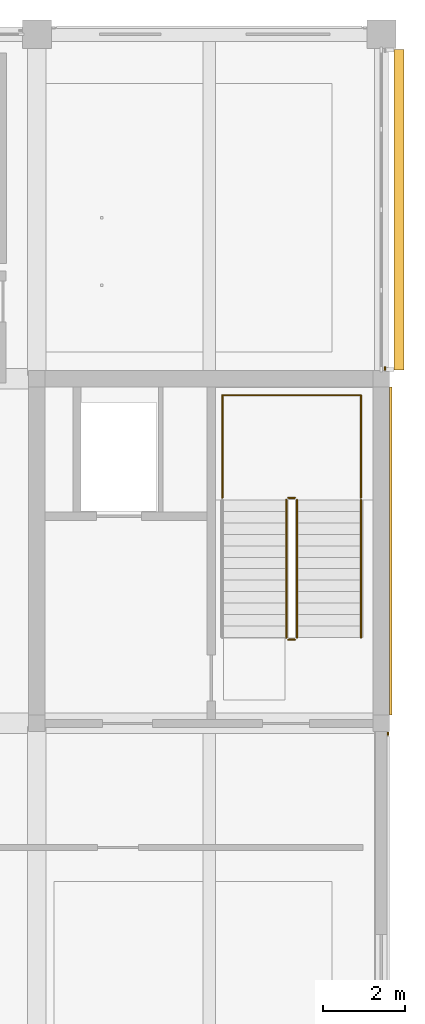
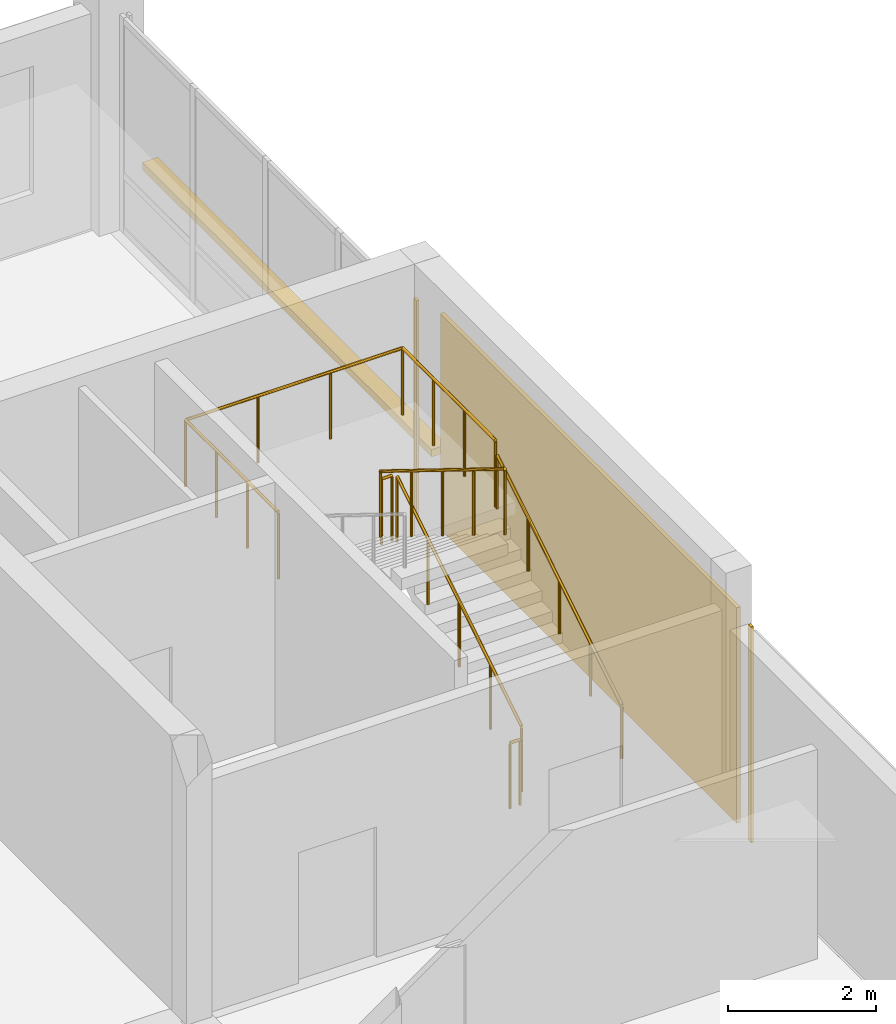
# One storey, part 32 of 35: 6 railings, 3 coverings, 1 shading device.
"""IFC4 building model written with IfcOpenShell, lengths in metres."""

from ifc_helpers import new_model, si_unit, direction, frame, origin, origin_2d, place, context, subcontext, project, spatial, rectangle, circle, extrude, material, layer, layer_set, type_object, element, save


model = new_model("IFC4")

# Units and contexts
model_context = context("Model", 3, precision=1e-05, world=origin(), true_north=direction((0.0, 1.0)))
body_context = subcontext(model_context, "Body", "Model", "MODEL_VIEW")
ifc_project = project(units=[si_unit("LENGTHUNIT", "METRE"), si_unit("AREAUNIT", "SQUARE_METRE"), si_unit("VOLUMEUNIT", "CUBIC_METRE"), si_unit("PLANEANGLEUNIT", "RADIAN"), si_unit("MASSUNIT", "GRAM", prefix="KILO")], contexts=[model_context])

# Site, building, storey
site_placement = place(None, origin())
site = spatial("IfcSite", under=ifc_project, at=site_placement, CompositionType="ELEMENT")
building_placement = place(site_placement, origin())
building = spatial("IfcBuilding", under=site, at=building_placement, Name="Telukmera Botanical Conservatory", CompositionType="ELEMENT")
storey_placement = place(building_placement, frame((0.0, 0.0, 46.5)))
storey = spatial("IfcBuildingStorey", under=building, at=storey_placement, Name="L10", CompositionType="ELEMENT", Elevation=46.5)

# Coverings
ifc_material_1 = material(Name="Granite-faced precast concrete C40/50", Category="masonry")
ifc_layer_1 = layer(ifc_material_1, 0.0400390625)
ifc_layer_set_1 = layer_set([ifc_layer_1], Name="Granite-faced precast concrete C40/50")
covering_type_1 = type_object("IfcCoveringType", Name="Granite Precast Column Pier Reveal Casing", PredefinedType="CLADDING", material=ifc_layer_set_1)
for number, where, z_axis, x_axis, name in (
    (1, (100.9599609375, 25.748046875, 0.0), (0.0, 0.0, 1.0), (0.0, 1.0, 0.0), "Granite Pier Reveal V4:L10:E2 R"),
    (2, (100.889892578125, 34.652099609375, 0.0), (0.0, 0.0, 1.0), (0.0, 1.0, 0.0), "Granite Pier Reveal V4:L10:E4 L"),
):
    element("IfcCovering", number, at=place(storey_placement, frame(where, z_axis=z_axis, x_axis=x_axis)), inside=storey, type_object=covering_type_1, Name=name, PredefinedType="CLADDING", context=body_context, shape_type="SweptSolid", body=[
        extrude(rectangle(XDim=0.080078125, YDim=0.0400390625, at=origin_2d()), origin(), (0.0, 0.0, 1.0), 3.550048828125),
    ])

# Shading device
ifc_material_2 = material(Name="Perforated terracotta-anodised aluminium 6063-T6", Category="masonry")
ifc_layer_2 = layer(ifc_material_2, 0.044921875)
ifc_layer_set_2 = layer_set([ifc_layer_2], Name="Perforated terracotta-anodised aluminium 6063-T6")
shading_device_type = type_object("IfcShadingDeviceType", Name="Perforated Terracotta Aluminium Monsoon Brise Soleil", PredefinedType="JALOUSIE", material=ifc_layer_set_2)
shading_device_placement = place(storey_placement, frame((101.22998046875, 38.52490234375, 0.889892578125), z_axis=(0.0, 0.0, 1.0), x_axis=(0.0, 1.0, 0.0)))
element("IfcShadingDevice", 3, at=shading_device_placement, inside=storey, type_object=shading_device_type, Name="Monsoon Shading BS01 V4:L10:E4", PredefinedType="JALOUSIE", context=body_context, shape_type="SweptSolid", body=[
    extrude(rectangle(XDim=7.805908203125, YDim=0.239990234375, at=origin_2d()), origin(), (0.0, 0.0, 1.0), 0.1201171875),
])

# Railings
ifc_material_3 = material(Name="Steel S355", Category="steel")
railing_type_1 = type_object("IfcRailingType", Name="RL-GUARD-1100", PredefinedType="GUARDRAIL", material=ifc_material_3)
railing_1_placement = place(storey_placement, frame((98.739990234375, 28.090087890625, 0.173095703125)))
element("IfcRailing", 4, at=railing_1_placement, inside=storey, type_object=railing_type_1, Name="L10 ST2 stair guard 1", PredefinedType="GUARDRAIL", context=body_context, shape_type="SweptSolid", body=[
    extrude(circle(Radius=0.02392578125, at=origin_2d()), frame((0.0, 0.0, 1.076171875), z_axis=(0.0, 0.850606129759, 0.525803396734), x_axis=(-1.0, 0.0, 0.0)), (0.0, 0.0, 1.0), 3.949951171875),
    extrude(circle(Radius=0.02099609375, at=origin_2d()), origin(), (0.0, 0.0, 1.0), 1.052001953125),
    extrude(circle(Radius=0.02099609375, at=origin_2d()), frame((0.0, 0.83984375, 0.519287109375)), (0.0, 0.0, 1.0), 1.052001953125),
    extrude(circle(Radius=0.02099609375, at=origin_2d()), frame((0.0, 1.679931640625, 1.03857421875)), (0.0, 0.0, 1.0), 1.052001953125),
    extrude(circle(Radius=0.02099609375, at=origin_2d()), frame((0.0, 2.52001953125, 1.5576171875)), (0.0, 0.0, 1.0), 1.052001953125),
    extrude(circle(Radius=0.02099609375, at=origin_2d()), frame((0.0, 3.35986328125, 2.076904296875)), (0.0, 0.0, 1.0), 1.052001953125),
])
railing_2_placement = place(storey_placement, frame((98.68994140625, 31.5, 2.25)))
element("IfcRailing", 5, at=railing_2_placement, inside=storey, type_object=railing_type_1, Name="L10 ST2 stair guard 2", PredefinedType="GUARDRAIL", context=body_context, shape_type="SweptSolid", body=[
    extrude(circle(Radius=0.02392578125, at=origin_2d()), frame((0.0, 0.0, 1.076171875), z_axis=(-1.0, 0.0, 0.0), x_axis=(0.0, -1.0, 0.0)), (0.0, 0.0, 1.0), 0.159912109375),
    extrude(circle(Radius=0.02099609375, at=origin_2d()), origin(), (0.0, 0.0, 1.0), 1.052001953125),
    extrude(circle(Radius=0.02099609375, at=origin_2d()), frame((-0.159912109375, 0.0, 0.0)), (0.0, 0.0, 1.0), 1.052001953125),
])
railing_3_placement = place(storey_placement, frame((98.47998046875, 31.449951171875, 2.423095703125)))
element("IfcRailing", 6, at=railing_3_placement, inside=storey, type_object=railing_type_1, Name="L10 ST2 stair guard 3", PredefinedType="GUARDRAIL", context=body_context, shape_type="SweptSolid", body=[
    extrude(circle(Radius=0.02392578125, at=origin_2d()), frame((0.0, 0.0, 1.076171875), z_axis=(0.0, -0.850606129759, 0.525803396734), x_axis=(1.0, 0.0, 0.0)), (0.0, 0.0, 1.0), 3.949951171875),
    extrude(circle(Radius=0.02099609375, at=origin_2d()), origin(), (0.0, 0.0, 1.0), 1.052001953125),
    extrude(circle(Radius=0.02099609375, at=origin_2d()), frame((0.0, -0.83984375, 0.519287109375)), (0.0, 0.0, 1.0), 1.052001953125),
    extrude(circle(Radius=0.02099609375, at=origin_2d()), frame((0.0, -1.679931640625, 1.03857421875)), (0.0, 0.0, 1.0), 1.052001953125),
    extrude(circle(Radius=0.02099609375, at=origin_2d()), frame((0.0, -2.52001953125, 1.5576171875)), (0.0, 0.0, 1.0), 1.052001953125),
    extrude(circle(Radius=0.02099609375, at=origin_2d()), frame((0.0, -3.35986328125, 2.076904296875)), (0.0, 0.0, 1.0), 1.052001953125),
])
railing_4_placement = place(storey_placement, frame((98.68994140625, 28.0400390625, 0.0)))
element("IfcRailing", 7, at=railing_4_placement, inside=storey, type_object=railing_type_1, Name="L10 ST2 stair guard 4", PredefinedType="GUARDRAIL", context=body_context, shape_type="SweptSolid", body=[
    extrude(circle(Radius=0.02392578125, at=origin_2d()), frame((0.0, 0.0, 1.076171875), z_axis=(-1.0, 0.0, 0.0), x_axis=(0.0, -1.0, 0.0)), (0.0, 0.0, 1.0), 0.159912109375),
    extrude(circle(Radius=0.02099609375, at=origin_2d()), origin(), (0.0, 0.0, 1.0), 1.052001953125),
    extrude(circle(Radius=0.02099609375, at=origin_2d()), frame((-0.159912109375, 0.0, 0.0)), (0.0, 0.0, 1.0), 1.052001953125),
])
railing_5_placement = place(storey_placement, frame((100.300048828125, 31.5, 2.25)))
element("IfcRailing", 8, at=railing_5_placement, inside=storey, type_object=railing_type_1, Name="L10 ST2 half-landing perimeter guard 1", PredefinedType="GUARDRAIL", context=body_context, shape_type="SweptSolid", body=[
    extrude(circle(Radius=0.02392578125, at=origin_2d()), frame((0.0, 0.0, 1.09619140625), z_axis=(0.0, 1.0, 0.0), x_axis=(-1.0, 0.0, 0.0)), (0.0, 0.0, 1.0), 2.5),
    extrude(circle(Radius=0.02392578125, at=origin_2d()), frame((0.0, 2.5, 1.09619140625), z_axis=(-1.0, 0.0, 0.0), x_axis=(0.0, -1.0, 0.0)), (0.0, 0.0, 1.0), 3.380126953125),
    extrude(circle(Radius=0.02392578125, at=origin_2d()), frame((-3.380126953125, 2.5, 1.09619140625), z_axis=(0.0, -1.0, 0.0), x_axis=(1.0, 0.0, 0.0)), (0.0, 0.0, 1.0), 2.5),
    extrude(circle(Radius=0.02099609375, at=origin_2d()), origin(), (0.0, 0.0, 1.0), 1.072021484375),
    extrude(circle(Radius=0.02099609375, at=origin_2d()), frame((0.0, 0.833251953125, 0.0)), (0.0, 0.0, 1.0), 1.072021484375),
    extrude(circle(Radius=0.02099609375, at=origin_2d()), frame((0.0, 1.666748046875, 0.0)), (0.0, 0.0, 1.0), 1.072021484375),
    extrude(circle(Radius=0.02099609375, at=origin_2d()), frame((0.0, 2.5, 0.0)), (0.0, 0.0, 1.0), 1.072021484375),
    extrude(circle(Radius=0.02099609375, at=origin_2d()), frame((-1.126708984375, 2.5, 0.0)), (0.0, 0.0, 1.0), 1.072021484375),
    extrude(circle(Radius=0.02099609375, at=origin_2d()), frame((-2.25341796875, 2.5, 0.0)), (0.0, 0.0, 1.0), 1.072021484375),
    extrude(circle(Radius=0.02099609375, at=origin_2d()), frame((-3.380126953125, 2.5, 0.0)), (0.0, 0.0, 1.0), 1.072021484375),
    extrude(circle(Radius=0.02099609375, at=origin_2d()), frame((-3.380126953125, 1.666748046875, 0.0)), (0.0, 0.0, 1.0), 1.072021484375),
    extrude(circle(Radius=0.02099609375, at=origin_2d()), frame((-3.380126953125, 0.833251953125, 0.0)), (0.0, 0.0, 1.0), 1.072021484375),
    extrude(circle(Radius=0.02099609375, at=origin_2d()), frame((-3.380126953125, 0.0, 0.0)), (0.0, 0.0, 1.0), 1.072021484375),
])
ifc_material_4 = material(Name="Stainless steel 316", Category="steel")
railing_type_2 = type_object("IfcRailingType", Name="RL-HAND-900", PredefinedType="HANDRAIL", material=ifc_material_4)
railing_6_placement = place(storey_placement, frame((100.300048828125, 28.090087890625, 0.173095703125)))
element("IfcRailing", 9, at=railing_6_placement, inside=storey, type_object=railing_type_2, Name="L10 ST2 stair handrail 1", PredefinedType="HANDRAIL", context=body_context, shape_type="SweptSolid", body=[
    extrude(circle(Radius=0.02392578125, at=origin_2d()), frame((0.0, 0.0, 0.8759765625), z_axis=(0.0, 0.850606129759, 0.525803396734), x_axis=(-1.0, 0.0, 0.0)), (0.0, 0.0, 1.0), 3.949951171875),
    extrude(circle(Radius=0.02099609375, at=origin_2d()), origin(), (0.0, 0.0, 1.0), 0.851806640625),
    extrude(circle(Radius=0.02099609375, at=origin_2d()), frame((0.0, 0.83984375, 0.519287109375)), (0.0, 0.0, 1.0), 0.851806640625),
    extrude(circle(Radius=0.02099609375, at=origin_2d()), frame((0.0, 1.679931640625, 1.03857421875)), (0.0, 0.0, 1.0), 0.851806640625),
    extrude(circle(Radius=0.02099609375, at=origin_2d()), frame((0.0, 2.52001953125, 1.5576171875)), (0.0, 0.0, 1.0), 0.851806640625),
    extrude(circle(Radius=0.02099609375, at=origin_2d()), frame((0.0, 3.35986328125, 2.076904296875)), (0.0, 0.0, 1.0), 0.851806640625),
])

# Covering
ifc_material_5 = material(Name="Terracotta-faced precast concrete C40/50", Category="masonry")
ifc_layer_3 = layer(ifc_material_5, 0.06005859375)
ifc_layer_set_3 = layer_set([ifc_layer_3], Name="Terracotta-faced precast concrete C40/50")
covering_type_2 = type_object("IfcCoveringType", Name="Terracotta Core Perimeter Cladding Panel", PredefinedType="CLADDING", material=ifc_layer_set_3)
covering_placement = place(storey_placement, frame((101.030029296875, 30.199951171875, 0.0), z_axis=(0.0, 0.0, 1.0), x_axis=(0.0, 1.0, 0.0)))
element("IfcCovering", 10, at=covering_placement, inside=storey, type_object=covering_type_2, Name="Core Perimeter Terracotta Cladding V4:L10:E3", PredefinedType="CLADDING", context=body_context, shape_type="SweptSolid", body=[
    extrude(rectangle(XDim=7.99609375, YDim=0.06005859375, at=origin_2d()), origin(), (0.0, 0.0, 1.0), 3.550048828125),
])

save(model, "model.ifc")
